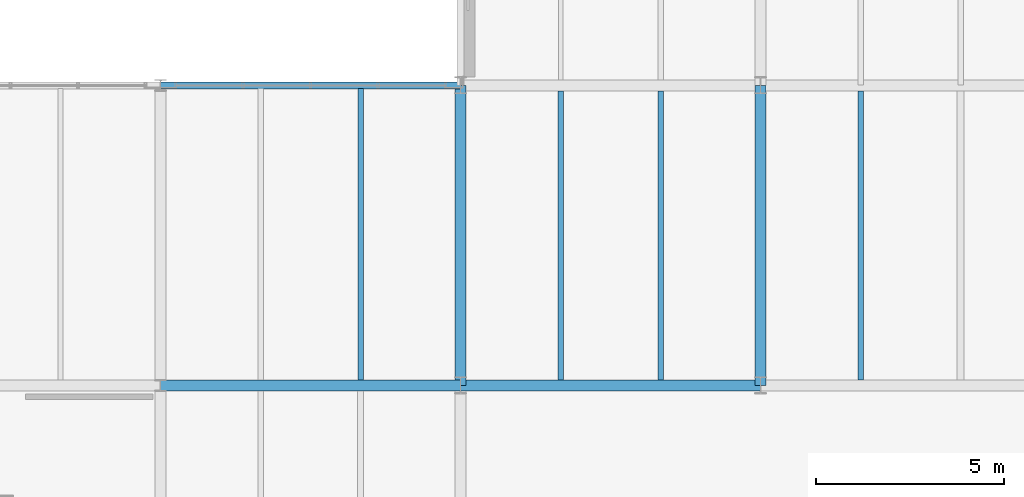
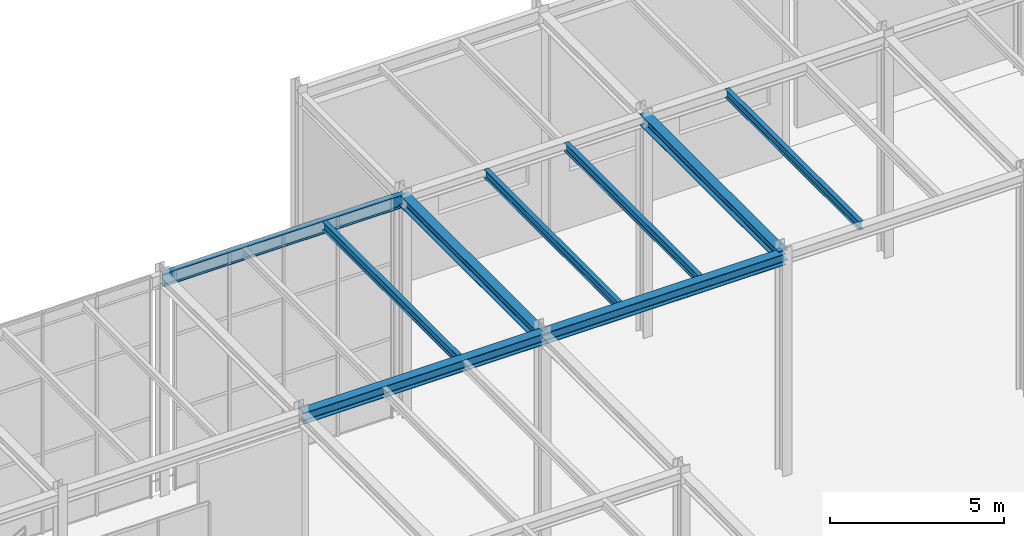
# One storey, part 53 of 138: 9 beams.
"""IFC4 building model written with IfcOpenShell, lengths in metres."""

from ifc_helpers import new_model, si_unit, direction, frame, origin, origin_2d, place, context, subcontext, project, spatial, i_section, extrude, material, material_profile, profile_set, type_object, element, save


model = new_model("IFC4")

# Units and contexts
model_context = context("Model", 3, precision=1e-05, world=origin(), true_north=direction((0.0, 1.0)))
body_context = subcontext(model_context, "Body", "Model", "MODEL_VIEW")
ifc_project = project(units=[si_unit("LENGTHUNIT", "METRE"), si_unit("AREAUNIT", "SQUARE_METRE"), si_unit("VOLUMEUNIT", "CUBIC_METRE"), si_unit("PLANEANGLEUNIT", "RADIAN"), si_unit("MASSUNIT", "GRAM", prefix="KILO")], contexts=[model_context])

# Site, building, storey
site_placement = place(None, origin())
site = spatial("IfcSite", under=ifc_project, at=site_placement, CompositionType="ELEMENT")
building_placement = place(site_placement, origin())
building = spatial("IfcBuilding", under=site, at=building_placement, Name="Sundkrona Museum", CompositionType="ELEMENT")
storey_placement = place(building_placement, frame((0.0, 0.0, 9.60009765625)))
storey = spatial("IfcBuildingStorey", under=building, at=storey_placement, Name="L02", CompositionType="ELEMENT", Elevation=9.60009765625)

# Beams
ifc_material = material(Name="Steel S355J2", Category="steel")
ifc_material_profile_1 = material_profile(ifc_material, i_section(OverallWidth=0.300048828125, OverallDepth=0.389892578125, WebThickness=0.010986328125, FlangeThickness=0.01904296875, FilletRadius=0.027099609375, at=origin_2d()), Name="HEA 400")
ifc_profile_set_1 = profile_set([ifc_material_profile_1], Name="Steel S355J2")
beam_type_1 = type_object("IfcBeamType", Name="B-HEA400", PredefinedType="BEAM", material=ifc_profile_set_1)
for number, where, z_axis, x_axis, name in (
    (1, (112.0, 32.0, 7.544921875), (1.0, 0.0, 0.0), (0.0, 1.0, 0.0), "L02 Girder X-1155"),
    (2, (120.0, 32.0, 7.544921875), (1.0, 0.0, 0.0), (0.0, 1.0, 0.0), "L02 Girder X-1156"),
    (3, (120.0, 32.0, 7.544921875), (0.0, 1.0, 0.0), (-1.0, 0.0, 0.0), "L02 Girder Y-1336"),
    (4, (128.0, 32.0, 7.56494140625), (0.0, 1.0, 0.0), (-1.0, 0.0, 0.0), "L02 Girder Y-1340"),
):
    element("IfcBeam", number, at=place(storey_placement, frame(where, z_axis=z_axis, x_axis=x_axis)), inside=storey, type_object=beam_type_1, Name=name, PredefinedType="BEAM", context=body_context, shape_type="SweptSolid", body=[
        extrude(i_section(OverallWidth=0.300048828125, OverallDepth=0.389892578125, WebThickness=0.010986328125, FlangeThickness=0.01904296875, FilletRadius=0.027099609375, at=origin_2d()), origin(), (0.0, 0.0, 1.0), 8.0),
    ])
ifc_material_profile_2 = material_profile(ifc_material, i_section(OverallWidth=0.14990234375, OverallDepth=0.300048828125, WebThickness=0.007080078125, FlangeThickness=0.0107421875, FilletRadius=0.014892578125, at=origin_2d()), Name="IPE 300")
ifc_profile_set_2 = profile_set([ifc_material_profile_2], Name="Steel S355J2")
beam_type_2 = type_object("IfcBeamType", Name="J-IPE300", PredefinedType="JOIST", material=ifc_profile_set_2)
beam_1_placement = place(storey_placement, frame((117.333251953125, 32.14404296875, 7.58984375), z_axis=(0.0, 1.0, 0.0), x_axis=(-1.0, 0.0, 0.0)))
element("IfcBeam", 5, at=beam_1_placement, inside=storey, type_object=beam_type_2, Name="L02 Composite Joist 0862", PredefinedType="JOIST", context=body_context, shape_type="SweptSolid", body=[
    extrude(i_section(OverallWidth=0.14990234375, OverallDepth=0.300048828125, WebThickness=0.007080078125, FlangeThickness=0.0107421875, FilletRadius=0.014892578125, at=origin_2d()), origin(), (0.0, 0.0, 1.0), 7.766845703125),
])
for number, where, z_axis, x_axis, name in (
    (6, (122.666748046875, 32.14404296875, 7.58984375), (0.0, 1.0, 0.0), (-1.0, 0.0, 0.0), "L02 Composite Joist 0863"),
    (7, (125.333251953125, 32.14404296875, 7.58984375), (0.0, 1.0, 0.0), (-1.0, 0.0, 0.0), "L02 Composite Joist 0864"),
    (8, (130.666748046875, 32.14404296875, 7.60986328125), (0.0, 1.0, 0.0), (-1.0, 0.0, 0.0), "L02 Composite Joist 0869"),
):
    element("IfcBeam", number, at=place(storey_placement, frame(where, z_axis=z_axis, x_axis=x_axis)), inside=storey, type_object=beam_type_2, Name=name, PredefinedType="JOIST", context=body_context, shape_type="SweptSolid", body=[
        extrude(i_section(OverallWidth=0.14990234375, OverallDepth=0.300048828125, WebThickness=0.007080078125, FlangeThickness=0.0107421875, FilletRadius=0.014892578125, at=origin_2d()), origin(), (0.0, 0.0, 1.0), 7.7119140625),
    ])
ifc_material_profile_3 = material_profile(ifc_material, i_section(OverallWidth=0.18994140625, OverallDepth=0.449951171875, WebThickness=0.009521484375, FlangeThickness=0.0146484375, FilletRadius=0.02099609375, at=origin_2d()), Name="IPE 450")
ifc_profile_set_3 = profile_set([ifc_material_profile_3], Name="Steel S355J2")
beam_type_3 = type_object("IfcBeamType", Name="SP-IPE450", PredefinedType="SPANDREL", material=ifc_profile_set_3)
beam_2_placement = place(storey_placement, frame((112.0, 40.0, 7.514892578125), z_axis=(1.0, 0.0, 0.0), x_axis=(0.0, 1.0, 0.0)))
element("IfcBeam", 9, at=beam_2_placement, inside=storey, type_object=beam_type_3, Name="L02 Girder X-1168", PredefinedType="SPANDREL", context=body_context, shape_type="SweptSolid", body=[
    extrude(i_section(OverallWidth=0.18994140625, OverallDepth=0.449951171875, WebThickness=0.009521484375, FlangeThickness=0.0146484375, FilletRadius=0.02099609375, at=origin_2d()), origin(), (0.0, 0.0, 1.0), 8.0),
])

save(model, "model.ifc")
